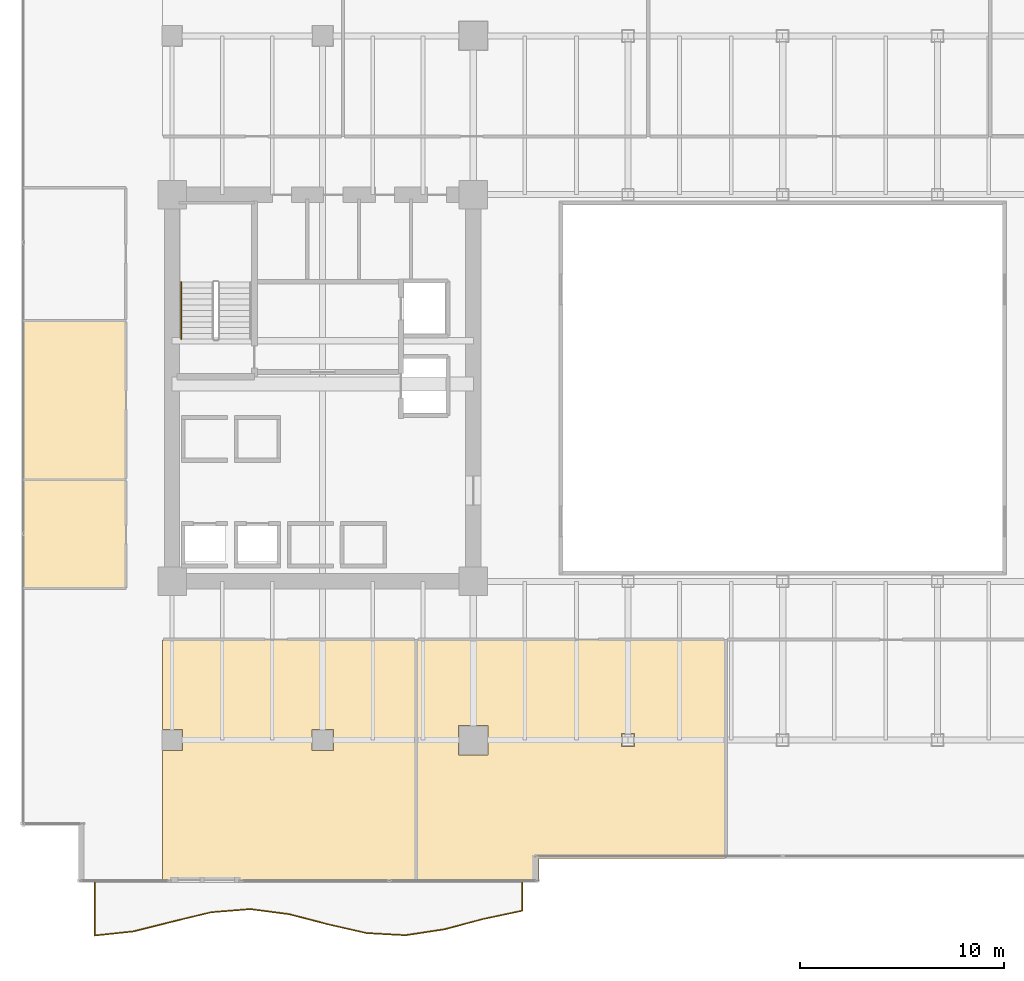
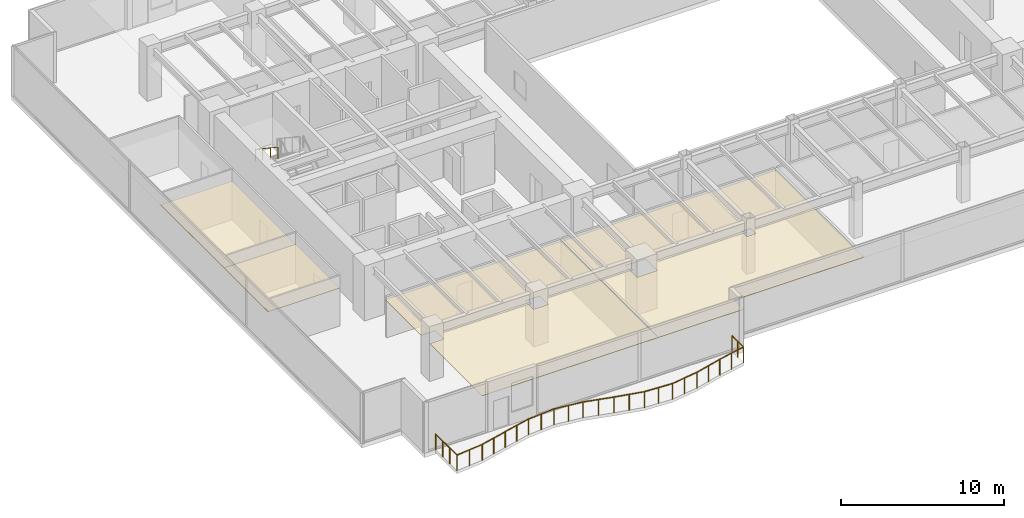
# One storey, part 29 of 32: 4 coverings, 2 railings.
"""IFC4 building model written with IfcOpenShell, lengths in metres."""

import ifcopenshell
import ifcopenshell.guid

model = None  # the IFC model being written
_history = None  # IfcOwnerHistory: only IFC2X3 demands one
_inside = {}  # id of a spatial element -> (the spatial element, [elements in it])
_under = {}  # id of a project, library or spatial element -> (it, [spatial elements below it])
_declared = {}  # id of a project -> (the project, [libraries it declares])
_typed = {}  # id of a type object -> (the type object, [elements of that type])
_made_of = {}  # id of a material, layer set ... -> (it, [elements and type objects made of it])


def new_model(schema):
    """Start an empty IFC model of exactly this schema.

    Asked for "IFC4X3", IfcOpenShell would pick the latest addendum, in which some entities
    have other attributes; the version numbers below select the first issue.
    IFC2X3 requires an IfcOwnerHistory on every rooted entity: one is made here for all.
    """
    global model, _history
    if schema == "IFC4X3":
        model = ifcopenshell.file(schema_version=(4, 3, 0, 0))
    else:
        model = ifcopenshell.file(schema=schema)
    _inside.clear()
    _under.clear()
    _declared.clear()
    _typed.clear()
    _made_of.clear()
    _history = None
    if model.schema == "IFC2X3":
        org = make("IfcOrganization", Name="unknown")
        user = make(
            "IfcPersonAndOrganization",
            ThePerson=make("IfcPerson", FamilyName="unknown"),
            TheOrganization=org,
        )
        app = make(
            "IfcApplication",
            ApplicationDeveloper=org,
            Version="unknown",
            ApplicationFullName="unknown",
            ApplicationIdentifier="unknown",
        )
        _history = make(
            "IfcOwnerHistory",
            OwningUser=user,
            OwningApplication=app,
            ChangeAction="ADDED",
            CreationDate=0,
        )
    return model


def make(cls, **values):
    """One entity of the class cls with the attributes given. An attribute that is None is left unset."""
    return model.create_entity(
        cls, **{name: value for name, value in values.items() if value is not None}
    )


def rooted(cls, **values):
    """An entity with a GlobalId (a new one), such as an element, a storey or a relation."""
    return make(cls, GlobalId=ifcopenshell.guid.new(), OwnerHistory=_history, **values)


def si_unit(unit_type, name, prefix=None):
    """IfcSIUnit, for example si_unit("LENGTHUNIT", "METRE", prefix="MILLI")."""
    return make("IfcSIUnit", UnitType=unit_type, Prefix=prefix, Name=name)


def assignment(units):
    """IfcUnitAssignment: the units of a project."""
    return None if units is None else make("IfcUnitAssignment", Units=units)


def point(xyz):
    """IfcCartesianPoint."""
    return None if xyz is None else make("IfcCartesianPoint", Coordinates=xyz)


def direction(xyz):
    """IfcDirection."""
    return None if xyz is None else make("IfcDirection", DirectionRatios=xyz)


def frame(location, z_axis=None, x_axis=None):
    """IfcAxis2Placement3D, a coordinate frame: its origin and axes. An axis left out is left unset."""
    return make(
        "IfcAxis2Placement3D",
        Location=point(location),
        Axis=direction(z_axis),
        RefDirection=direction(x_axis),
    )


def frame_2d(location, x_axis=None):
    """IfcAxis2Placement2D, a coordinate frame in the plane: its origin and x axis."""
    return make(
        "IfcAxis2Placement2D", Location=point(location), RefDirection=direction(x_axis)
    )


def origin():
    """The frame at (0, 0, 0) with its axes left unset."""
    return frame((0.0, 0.0, 0.0))


def origin_2d():
    """The frame at (0, 0) in the plane with its x axis left unset."""
    return frame_2d((0.0, 0.0))


def place(relative_to, where):
    """IfcLocalPlacement: puts the frame where relative to a parent placement (None: the world)."""
    return make(
        "IfcLocalPlacement", PlacementRelTo=relative_to, RelativePlacement=where
    )


def context(
    kind, dimensions, precision=None, world=None, true_north=None, identifier=None
):
    """IfcGeometricRepresentationContext, for example the 3D "Model" context."""
    return make(
        "IfcGeometricRepresentationContext",
        ContextIdentifier=identifier,
        ContextType=kind,
        CoordinateSpaceDimension=dimensions,
        Precision=precision,
        WorldCoordinateSystem=world,
        TrueNorth=true_north,
    )


def subcontext(parent, identifier, kind, view, scale=None):
    """IfcGeometricRepresentationSubContext, for example "Body" below "Model"."""
    return make(
        "IfcGeometricRepresentationSubContext",
        ContextIdentifier=identifier,
        ContextType=kind,
        ParentContext=parent,
        TargetScale=scale,
        TargetView=view,
    )


def project(units=None, contexts=None):
    """IfcProject with its units and contexts."""
    return rooted(
        "IfcProject",
        Name="project",
        RepresentationContexts=contexts,
        UnitsInContext=assignment(units),
    )


def spatial(cls, under=None, at=None, **own):
    """A site, building, storey or space (cls), placed at a placement, below another one or the project."""
    s = rooted(cls, ObjectPlacement=at, **own)
    if under is not None:
        _under.setdefault(under.id(), (under, []))[1].append(s)
    return s


def polyline(points):
    """IfcPolyline through the points."""
    return make("IfcPolyline", Points=[point(p) for p in points])


def profile(cls, at=None, kind="AREA", **sizes):
    """A parametric profile (cls). Its sizes go by their IFC names, for example OverallWidth=200.0."""
    return make(cls, ProfileType=kind, Position=at, **sizes)


def circle(**sizes):
    """IfcCircleProfileDef."""
    return profile("IfcCircleProfileDef", **sizes)


def outline(outer, holes=None, kind="AREA"):
    """IfcArbitraryClosedProfileDef: a profile drawn as a closed curve; with holes, ...WithVoids."""
    if holes is None:
        return make("IfcArbitraryClosedProfileDef", ProfileType=kind, OuterCurve=outer)
    return make(
        "IfcArbitraryProfileDefWithVoids",
        ProfileType=kind,
        OuterCurve=outer,
        InnerCurves=holes,
    )


def extrude(swept, where, along, depth):
    """IfcExtrudedAreaSolid: the profile swept, set in the frame where, extruded along a direction by depth."""
    return make(
        "IfcExtrudedAreaSolid",
        SweptArea=swept,
        Position=where,
        ExtrudedDirection=direction(along),
        Depth=depth,
    )


def shape(context_of_items, identifier, shape_type, items):
    """IfcShapeRepresentation: the items that make up one representation, for example the "Body"."""
    return make(
        "IfcShapeRepresentation",
        ContextOfItems=context_of_items,
        RepresentationIdentifier=identifier,
        RepresentationType=shape_type,
        Items=items,
    )


def source(mapping_origin, context_of_items, identifier, shape_type, items):
    """IfcRepresentationMap: a shape defined once, which mapped items show again and again."""
    return make(
        "IfcRepresentationMap",
        MappingOrigin=mapping_origin,
        MappedRepresentation=shape(context_of_items, identifier, shape_type, items),
    )


def transform(
    local_origin,
    x_axis=None,
    y_axis=None,
    z_axis=None,
    scale=None,
    scale2=None,
    scale3=None,
    uniform=True,
):
    """IfcCartesianTransformationOperator3D, or its non-uniform kind. x_axis, y_axis, z_axis: its Axis1, 2, 3."""
    if uniform:
        return make(
            "IfcCartesianTransformationOperator3D",
            Axis1=direction(x_axis),
            Axis2=direction(y_axis),
            LocalOrigin=point(local_origin),
            Scale=scale,
            Axis3=direction(z_axis),
        )
    return make(
        "IfcCartesianTransformationOperator3DnonUniform",
        Axis1=direction(x_axis),
        Axis2=direction(y_axis),
        LocalOrigin=point(local_origin),
        Scale=scale,
        Axis3=direction(z_axis),
        Scale2=scale2,
        Scale3=scale3,
    )


def mapped(mapping_source, mapping_target):
    """IfcMappedItem: shows the shape of a source again, moved by a transform."""
    return make(
        "IfcMappedItem", MappingSource=mapping_source, MappingTarget=mapping_target
    )


def material(Name=None, Category=None):
    """IfcMaterial."""
    return make("IfcMaterial", Name=Name, Category=Category)


def layer(
    of_material, thickness, ventilated=None, Name=None, Category=None, Priority=None
):
    """IfcMaterialLayer: one layer of a wall or slab, of a material (None: an air gap)."""
    return make(
        "IfcMaterialLayer",
        Material=of_material,
        LayerThickness=thickness,
        IsVentilated=ventilated,
        Name=Name,
        Category=Category,
        Priority=Priority,
    )


def layer_set(layers, Name=None):
    """IfcMaterialLayerSet."""
    return make("IfcMaterialLayerSet", MaterialLayers=layers, LayerSetName=Name)


def made_of(thing, what):
    """Note that an element or type object is made of a material, layer set ...; save() writes the relation."""
    if what is not None:
        _made_of.setdefault(what.id(), (what, []))[1].append(thing)
    return thing


def type_object(cls, material=None, **own):
    """A type object (cls), such as IfcWallType, which elements share."""
    return made_of(rooted(cls, **own), material)


def type_shapes(of_type, sources):
    """Give a type object the sources (RepresentationMaps) that its elements show as mapped items."""
    of_type.RepresentationMaps = sources


def element(
    cls,
    number,
    at=None,
    inside=None,
    cuts=None,
    type_object=None,
    material=None,
    context=None,
    identifier="Body",
    shape_type=None,
    held_by="IfcProductDefinitionShape",
    body=None,
    shapes=None,
    **own,
):
    """One element of the class cls, such as IfcWall. Its Tag is "e" and its number.

    at: its placement. inside: the storey or other place that contains it. cuts: it is an
    opening in that element (IfcRelVoidsElement). A single representation is given by context,
    identifier, shape_type and body (its items); several are given by shapes. held_by: the class
    of the entity that holds the representations. save() writes the other relations.
    """
    e = rooted(cls, Tag="e%d" % number, ObjectPlacement=at, **own)
    if body is not None:
        shapes = [shape(context, identifier, shape_type, body)]
    if shapes is not None:
        e.Representation = make(held_by, Representations=shapes)
    if inside is not None:
        _inside.setdefault(inside.id(), (inside, []))[1].append(e)
    if cuts is not None:
        rooted(
            "IfcRelVoidsElement", RelatingBuildingElement=cuts, RelatedOpeningElement=e
        )
    if type_object is not None:
        _typed.setdefault(type_object.id(), (type_object, []))[1].append(e)
    return made_of(e, material)


def aggregate(whole, parts):
    """IfcRelAggregates: a whole, such as a stair, and the parts it consists of."""
    return rooted("IfcRelAggregates", RelatingObject=whole, RelatedObjects=parts)


def save(model, path):
    """Write the relations noted so far, then the file.

    IfcRelAggregates (storeys below a building ...), IfcRelContainedInSpatialStructure (elements
    in a storey), IfcRelDefinesByType, IfcRelAssociatesMaterial and IfcRelDeclares: one each for
    every whole, place, type object, material and project.
    """
    for whole, parts in _under.values():
        aggregate(whole, parts)
    for where, things in _inside.values():
        rooted(
            "IfcRelContainedInSpatialStructure",
            RelatedElements=things,
            RelatingStructure=where,
        )
    for kind, things in _typed.values():
        rooted("IfcRelDefinesByType", RelatedObjects=things, RelatingType=kind)
    for what, things in _made_of.values():
        rooted("IfcRelAssociatesMaterial", RelatedObjects=things, RelatingMaterial=what)
    for by, libraries in _declared.values():
        rooted("IfcRelDeclares", RelatingContext=by, RelatedDefinitions=libraries)
    model.write(path)


model = new_model("IFC4")

# Units and contexts
model_context = context("Model", 3, precision=1e-05, world=origin(), true_north=direction((0.0, 1.0)))
body_context = subcontext(model_context, "Body", "Model", "MODEL_VIEW")
ifc_project = project(units=[si_unit("LENGTHUNIT", "METRE"), si_unit("AREAUNIT", "SQUARE_METRE"), si_unit("VOLUMEUNIT", "CUBIC_METRE"), si_unit("PLANEANGLEUNIT", "RADIAN"), si_unit("MASSUNIT", "GRAM", prefix="KILO")], contexts=[model_context])

# Site, building, storey
site_placement = place(None, origin())
site = spatial("IfcSite", under=ifc_project, at=site_placement, CompositionType="ELEMENT")
building_placement = place(site_placement, origin())
building = spatial("IfcBuilding", under=site, at=building_placement, Name="Haelvirn Gate Laboratories", CompositionType="ELEMENT")
storey_placement = place(building_placement, frame((0.0, 0.0, 33.39990234375)))
storey = spatial("IfcBuildingStorey", under=building, at=storey_placement, Name="L08", CompositionType="ELEMENT", Elevation=33.39990234375)

# Coverings
ifc_material_1 = material(Name="Micro-perforated acoustic mineral-fibre laboratory ceiling")
ifc_layer = layer(ifc_material_1, 0.0400390625, Name="COV-CEIL-ACT")
ifc_layer_set = layer_set([ifc_layer], Name="Micro-perforated acoustic mineral-fibre laboratory ceiling")
covering_type = type_object("IfcCoveringType", Name="COV-CEIL-ACT", PredefinedType="CEILING", material=ifc_layer_set)
covering_1_placement = place(storey_placement, frame((0.0, 0.0, 2.81005859375)))
element("IfcCovering", 1, at=covering_1_placement, inside=storey, type_object=covering_type, Name="L08 Laboratory Acoustic Ceiling CEIL-SP-L08-S-01", PredefinedType="CEILING", context=body_context, shape_type="SweptSolid", body=[
    extrude(outline(polyline([(6.919921875, 6.47998046875), (7.919921875, 6.47998046875), (7.919921875, 7.52001953125), (6.919921875, 7.52001953125), (6.919921875, 11.929931640625), (19.3798828125, 11.929931640625), (19.3798828125, 0.050048828125), (6.919921875, 0.050048828125), (6.919921875, 6.47998046875)]), holes=[polyline([(14.280029296875, 7.52001953125), (14.280029296875, 6.47998046875), (15.320068359375, 6.47998046875), (15.320068359375, 7.52001953125), (14.280029296875, 7.52001953125)])]), origin(), (0.0, 0.0, 1.0), 0.0400390625),
])
covering_2_placement = place(storey_placement, frame((0.0, 0.0, 2.81005859375)))
element("IfcCovering", 2, at=covering_2_placement, inside=storey, type_object=covering_type, Name="L08 Laboratory Acoustic Ceiling CEIL-SP-L08-S-02", PredefinedType="CEILING", context=body_context, shape_type="SweptSolid", body=[
    extrude(outline(polyline([(19.419921875, 0.050048828125), (19.419921875, 11.929931640625), (34.580078125, 11.929931640625), (34.580078125, 1.179931640625), (25.419921875, 1.179931640625), (25.419921875, 0.050048828125), (19.419921875, 0.050048828125)]), holes=[polyline([(21.47998046875, 7.719970703125), (21.47998046875, 6.280029296875), (22.919921875, 6.280029296875), (22.919921875, 7.719970703125), (21.47998046875, 7.719970703125)]), polyline([(30.1201171875, 7.320068359375), (29.47998046875, 7.320068359375), (29.47998046875, 6.679931640625), (30.1201171875, 6.679931640625), (30.1201171875, 7.320068359375)])]), origin(), (0.0, 0.0, 1.0), 0.0400390625),
])
covering_3_placement = place(storey_placement, frame((0.0, 0.0, 2.81005859375)))
element("IfcCovering", 3, at=covering_3_placement, inside=storey, type_object=covering_type, Name="L08 Laboratory Acoustic Ceiling CEIL-SP-L08-WCELL-01", PredefinedType="CEILING", context=body_context, shape_type="SweptSolid", body=[
    extrude(outline(polyline([(0.050048828125, 19.800048828125), (5.1201171875, 19.800048828125), (5.1201171875, 14.405029296875), (0.050048828125, 14.405029296875), (0.050048828125, 19.800048828125)])), origin(), (0.0, 0.0, 1.0), 0.0400390625),
])
covering_4_placement = place(storey_placement, frame((0.0, 0.0, 2.81005859375)))
element("IfcCovering", 4, at=covering_4_placement, inside=storey, type_object=covering_type, Name="L08 Laboratory Acoustic Ceiling CEIL-SP-L08-WCELL-02", PredefinedType="CEILING", context=body_context, shape_type="SweptSolid", body=[
    extrude(outline(polyline([(0.050048828125, 27.60009765625), (5.1201171875, 27.60009765625), (5.1201171875, 19.800048828125), (0.050048828125, 19.800048828125), (0.050048828125, 27.60009765625)])), origin(), (0.0, 0.0, 1.0), 0.0400390625),
])

# Railings
ifc_material_2 = material(Name="Laminated safety glass & bronze stainless steel 316L", Category="steel")
railing_type_1 = type_object("IfcRailingType", Name="RLG-BAL-1200", PredefinedType="BALUSTRADE", material=ifc_material_2)
shared_shape_1 = source(origin(), body_context, "Body", "SweptSolid", [
    extrude(circle(Radius=0.02392578125, at=origin_2d()), frame((0.0, 0.0, 1.17578125), z_axis=(0.0, -1.0, 0.0), x_axis=(1.0, 0.0, 0.0)), (0.0, 0.0, 1.0), 2.60009765625),
    extrude(circle(Radius=0.02392578125, at=origin_2d()), frame((0.0, -2.60009765625, 1.17578125), z_axis=(0.994439750524, 0.105307087023, 0.0), x_axis=(-0.105307087023, 0.994439750524, 0.0)), (0.0, 0.0, 1.0), 1.919677734375),
    extrude(circle(Radius=0.02392578125, at=origin_2d()), frame((1.908935546875, -2.39794921875, 1.17578125), z_axis=(0.969761987423, 0.244052633152, 0.0), x_axis=(-0.244052633152, 0.969761987423, 0.0)), (0.0, 0.0, 1.0), 1.96875),
    extrude(circle(Radius=0.02392578125, at=origin_2d()), frame((3.818115234375, -1.91748046875, 1.17578125), z_axis=(0.972127166857, 0.234454199065, 0.0), x_axis=(-0.234454199065, 0.972127166857, 0.0)), (0.0, 0.0, 1.0), 1.9638671875),
    extrude(circle(Radius=0.02392578125, at=origin_2d()), frame((5.727294921875, -1.45703125, 1.17578125), z_axis=(0.996769718558, 0.080312689946, 0.0), x_axis=(-0.080312689946, 0.996769718558, 0.0)), (0.0, 0.0, 1.0), 1.9150390625),
    extrude(circle(Radius=0.02392578125, at=origin_2d()), frame((7.63623046875, -1.30322265625, 1.17578125), z_axis=(0.99164913159, -0.128965110848, 0.0), x_axis=(0.128965110848, 0.99164913159, 0.0)), (0.0, 0.0, 1.0), 1.92529296875),
    extrude(circle(Radius=0.02392578125, at=origin_2d()), frame((9.54541015625, -1.551513671875, 1.17578125), z_axis=(0.96785083739, -0.251524862716, 0.0), x_axis=(0.251524862716, 0.96785083739, 0.0)), (0.0, 0.0, 1.0), 1.972412109375),
    extrude(circle(Radius=0.02392578125, at=origin_2d()), frame((11.454345703125, -2.047607421875, 1.17578125), z_axis=(0.974978303396, -0.222300040276, 0.0), x_axis=(0.222300040276, 0.974978303396, 0.0)), (0.0, 0.0, 1.0), 1.958251953125),
    extrude(circle(Radius=0.02392578125, at=origin_2d()), frame((13.363525390625, -2.48291015625, 1.17578125), z_axis=(0.998519493226, -0.054395051677, 0.0), x_axis=(0.054395051677, 0.998519493226, 0.0)), (0.0, 0.0, 1.0), 1.912109375),
    extrude(circle(Radius=0.02392578125, at=origin_2d()), frame((15.272705078125, -2.5869140625, 1.17578125), z_axis=(0.988521754732, 0.151078590217, 0.0), x_axis=(-0.151078590217, 0.988521754732, 0.0)), (0.0, 0.0, 1.0), 1.93115234375),
    extrude(circle(Radius=0.02392578125, at=origin_2d()), frame((17.181640625, -2.295166015625, 1.17578125), z_axis=(0.966552179004, 0.256470047498, 0.0), x_axis=(-0.256470047498, 0.966552179004, 0.0)), (0.0, 0.0, 1.0), 1.975341796875),
    extrude(circle(Radius=0.02392578125, at=origin_2d()), frame((19.0908203125, -1.78857421875, 1.17578125), z_axis=(0.978127050524, 0.208008348468, 0.0), x_axis=(-0.208008348468, 0.978127050524, 0.0)), (0.0, 0.0, 1.0), 1.951904296875),
    extrude(circle(Radius=0.02392578125, at=origin_2d()), frame((21.0, -1.382568359375, 1.17578125), z_axis=(0.0, 1.0, 0.0), x_axis=(-1.0, 0.0, 0.0)), (0.0, 0.0, 1.0), 1.382568359375),
    extrude(circle(Radius=0.02099609375, at=origin_2d()), origin(), (0.0, 0.0, 1.0), 1.15185546875),
    extrude(circle(Radius=0.02099609375, at=origin_2d()), frame((0.0, -0.86669921875, 0.0)), (0.0, 0.0, 1.0), 1.15185546875),
    extrude(circle(Radius=0.02099609375, at=origin_2d()), frame((0.0, -1.7333984375, 0.0)), (0.0, 0.0, 1.0), 1.15185546875),
    extrude(circle(Radius=0.02099609375, at=origin_2d()), frame((0.0, -2.60009765625, 0.0)), (0.0, 0.0, 1.0), 1.15185546875),
    extrude(circle(Radius=0.02099609375, at=origin_2d()), frame((0.95458984375, -2.4990234375, 0.0)), (0.0, 0.0, 1.0), 1.15185546875),
    extrude(circle(Radius=0.02099609375, at=origin_2d()), frame((1.908935546875, -2.39794921875, 0.0)), (0.0, 0.0, 1.0), 1.15185546875),
    extrude(circle(Radius=0.02099609375, at=origin_2d()), frame((2.863525390625, -2.15771484375, 0.0)), (0.0, 0.0, 1.0), 1.15185546875),
    extrude(circle(Radius=0.02099609375, at=origin_2d()), frame((3.818115234375, -1.91748046875, 0.0)), (0.0, 0.0, 1.0), 1.15185546875),
    extrude(circle(Radius=0.02099609375, at=origin_2d()), frame((4.772705078125, -1.687255859375, 0.0)), (0.0, 0.0, 1.0), 1.15185546875),
    extrude(circle(Radius=0.02099609375, at=origin_2d()), frame((5.727294921875, -1.45703125, 0.0)), (0.0, 0.0, 1.0), 1.15185546875),
    extrude(circle(Radius=0.02099609375, at=origin_2d()), frame((6.681640625, -1.380126953125, 0.0)), (0.0, 0.0, 1.0), 1.15185546875),
    extrude(circle(Radius=0.02099609375, at=origin_2d()), frame((7.63623046875, -1.30322265625, 0.0)), (0.0, 0.0, 1.0), 1.15185546875),
    extrude(circle(Radius=0.02099609375, at=origin_2d()), frame((8.5908203125, -1.42724609375, 0.0)), (0.0, 0.0, 1.0), 1.15185546875),
    extrude(circle(Radius=0.02099609375, at=origin_2d()), frame((9.54541015625, -1.551513671875, 0.0)), (0.0, 0.0, 1.0), 1.15185546875),
    extrude(circle(Radius=0.02099609375, at=origin_2d()), frame((10.5, -1.799560546875, 0.0)), (0.0, 0.0, 1.0), 1.15185546875),
    extrude(circle(Radius=0.02099609375, at=origin_2d()), frame((11.454345703125, -2.047607421875, 0.0)), (0.0, 0.0, 1.0), 1.15185546875),
    extrude(circle(Radius=0.02099609375, at=origin_2d()), frame((12.408935546875, -2.26513671875, 0.0)), (0.0, 0.0, 1.0), 1.15185546875),
    extrude(circle(Radius=0.02099609375, at=origin_2d()), frame((13.363525390625, -2.48291015625, 0.0)), (0.0, 0.0, 1.0), 1.15185546875),
    extrude(circle(Radius=0.02099609375, at=origin_2d()), frame((14.318115234375, -2.534912109375, 0.0)), (0.0, 0.0, 1.0), 1.15185546875),
    extrude(circle(Radius=0.02099609375, at=origin_2d()), frame((15.272705078125, -2.5869140625, 0.0)), (0.0, 0.0, 1.0), 1.15185546875),
    extrude(circle(Radius=0.02099609375, at=origin_2d()), frame((16.22705078125, -2.44091796875, 0.0)), (0.0, 0.0, 1.0), 1.15185546875),
    extrude(circle(Radius=0.02099609375, at=origin_2d()), frame((17.181640625, -2.295166015625, 0.0)), (0.0, 0.0, 1.0), 1.15185546875),
    extrude(circle(Radius=0.02099609375, at=origin_2d()), frame((18.13623046875, -2.0419921875, 0.0)), (0.0, 0.0, 1.0), 1.15185546875),
    extrude(circle(Radius=0.02099609375, at=origin_2d()), frame((19.0908203125, -1.78857421875, 0.0)), (0.0, 0.0, 1.0), 1.15185546875),
    extrude(circle(Radius=0.02099609375, at=origin_2d()), frame((20.04541015625, -1.58544921875, 0.0)), (0.0, 0.0, 1.0), 1.15185546875),
    extrude(circle(Radius=0.02099609375, at=origin_2d()), frame((21.0, -1.382568359375, 0.0)), (0.0, 0.0, 1.0), 1.15185546875),
    extrude(circle(Radius=0.02099609375, at=origin_2d()), frame((21.0, -0.69140625, 0.0)), (0.0, 0.0, 1.0), 1.15185546875),
    extrude(circle(Radius=0.02099609375, at=origin_2d()), frame((21.0, 0.0, 0.0)), (0.0, 0.0, 1.0), 1.15185546875),
])
type_shapes(railing_type_1, [shared_shape_1])
railing_1_placement = place(storey_placement, frame((3.60009765625, 0.0, 0.0)))
element("IfcRailing", 5, at=railing_1_placement, inside=storey, type_object=railing_type_1, Name="L08 Wave Balcony Balustrade WL-S", PredefinedType="BALUSTRADE", context=body_context, shape_type="MappedRepresentation", body=[
    mapped(shared_shape_1, transform((0.0, 0.0, 0.0), scale=1.0)),
])
ifc_material_3 = material(Name="Brushed stainless steel 316L", Category="steel")
railing_type_2 = type_object("IfcRailingType", Name="RL-HAND-920", PredefinedType="HANDRAIL", material=ifc_material_3)
shared_shape_2 = source(origin(), body_context, "Body", "SweptSolid", [
    extrude(circle(Radius=0.02392578125, at=origin_2d()), frame((0.0, 0.0, 0.8759765625), z_axis=(0.0, -0.832485552168, 0.554046753832), x_axis=(1.0, 0.0, 0.0)), (0.0, 0.0, 1.0), 3.363525390625),
    extrude(circle(Radius=0.02099609375, at=origin_2d()), origin(), (0.0, 0.0, 1.0), 0.851806640625),
    extrude(circle(Radius=0.02099609375, at=origin_2d()), frame((0.0, -0.933349609375, 0.62109375)), (0.0, 0.0, 1.0), 0.851806640625),
    extrude(circle(Radius=0.02099609375, at=origin_2d()), frame((0.0, -1.86669921875, 1.242431640625)), (0.0, 0.0, 1.0), 0.851806640625),
    extrude(circle(Radius=0.02099609375, at=origin_2d()), frame((0.0, -2.800048828125, 1.863525390625)), (0.0, 0.0, 1.0), 0.851806640625),
])
type_shapes(railing_type_2, [shared_shape_2])
railing_2_placement = place(storey_placement, frame((7.85009765625, 29.5, 2.236572265625)))
element("IfcRailing", 6, at=railing_2_placement, inside=storey, type_object=railing_type_2, Name="L08 ST1 stair handrail 2", PredefinedType="HANDRAIL", context=body_context, shape_type="MappedRepresentation", body=[
    mapped(shared_shape_2, transform((0.0, 0.0, 0.0), scale=1.0)),
])

save(model, "model.ifc")
